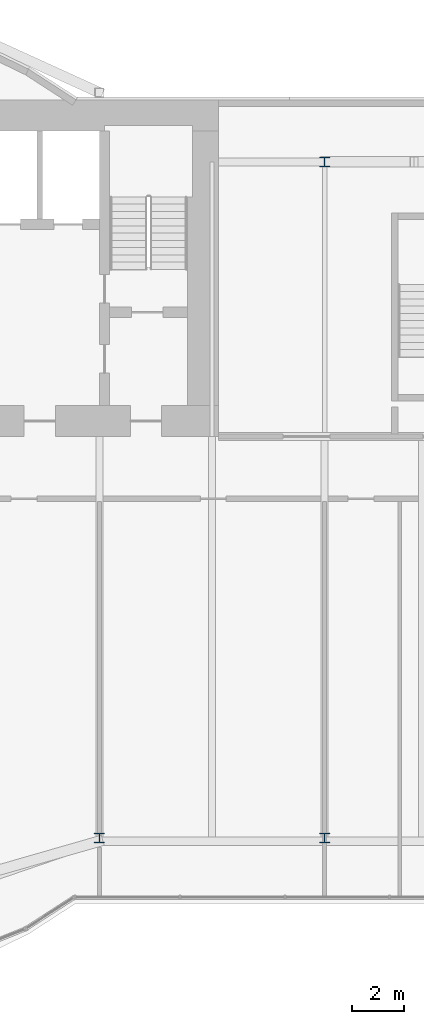
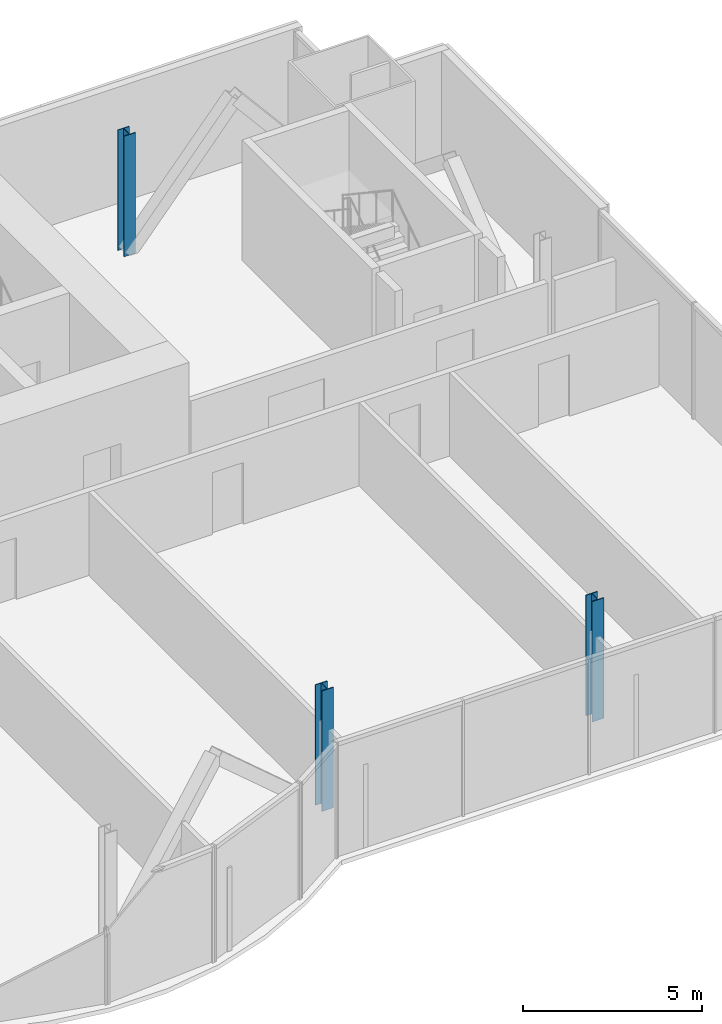
# One storey, part 2 of 20: 3 columns.
"""IFC4 building model written with IfcOpenShell, lengths in metres."""

import ifcopenshell
import ifcopenshell.guid

model = None  # the IFC model being written
_history = None  # IfcOwnerHistory: only IFC2X3 demands one
_inside = {}  # id of a spatial element -> (the spatial element, [elements in it])
_under = {}  # id of a project, library or spatial element -> (it, [spatial elements below it])
_declared = {}  # id of a project -> (the project, [libraries it declares])
_typed = {}  # id of a type object -> (the type object, [elements of that type])
_made_of = {}  # id of a material, layer set ... -> (it, [elements and type objects made of it])


def new_model(schema):
    """Start an empty IFC model of exactly this schema.

    Asked for "IFC4X3", IfcOpenShell would pick the latest addendum, in which some entities
    have other attributes; the version numbers below select the first issue.
    IFC2X3 requires an IfcOwnerHistory on every rooted entity: one is made here for all.
    """
    global model, _history
    if schema == "IFC4X3":
        model = ifcopenshell.file(schema_version=(4, 3, 0, 0))
    else:
        model = ifcopenshell.file(schema=schema)
    _inside.clear()
    _under.clear()
    _declared.clear()
    _typed.clear()
    _made_of.clear()
    _history = None
    if model.schema == "IFC2X3":
        org = make("IfcOrganization", Name="unknown")
        user = make(
            "IfcPersonAndOrganization",
            ThePerson=make("IfcPerson", FamilyName="unknown"),
            TheOrganization=org,
        )
        app = make(
            "IfcApplication",
            ApplicationDeveloper=org,
            Version="unknown",
            ApplicationFullName="unknown",
            ApplicationIdentifier="unknown",
        )
        _history = make(
            "IfcOwnerHistory",
            OwningUser=user,
            OwningApplication=app,
            ChangeAction="ADDED",
            CreationDate=0,
        )
    return model


def make(cls, **values):
    """One entity of the class cls with the attributes given. An attribute that is None is left unset."""
    return model.create_entity(
        cls, **{name: value for name, value in values.items() if value is not None}
    )


def rooted(cls, **values):
    """An entity with a GlobalId (a new one), such as an element, a storey or a relation."""
    return make(cls, GlobalId=ifcopenshell.guid.new(), OwnerHistory=_history, **values)


def si_unit(unit_type, name, prefix=None):
    """IfcSIUnit, for example si_unit("LENGTHUNIT", "METRE", prefix="MILLI")."""
    return make("IfcSIUnit", UnitType=unit_type, Prefix=prefix, Name=name)


def assignment(units):
    """IfcUnitAssignment: the units of a project."""
    return None if units is None else make("IfcUnitAssignment", Units=units)


def point(xyz):
    """IfcCartesianPoint."""
    return None if xyz is None else make("IfcCartesianPoint", Coordinates=xyz)


def direction(xyz):
    """IfcDirection."""
    return None if xyz is None else make("IfcDirection", DirectionRatios=xyz)


def frame(location, z_axis=None, x_axis=None):
    """IfcAxis2Placement3D, a coordinate frame: its origin and axes. An axis left out is left unset."""
    return make(
        "IfcAxis2Placement3D",
        Location=point(location),
        Axis=direction(z_axis),
        RefDirection=direction(x_axis),
    )


def frame_2d(location, x_axis=None):
    """IfcAxis2Placement2D, a coordinate frame in the plane: its origin and x axis."""
    return make(
        "IfcAxis2Placement2D", Location=point(location), RefDirection=direction(x_axis)
    )


def origin():
    """The frame at (0, 0, 0) with its axes left unset."""
    return frame((0.0, 0.0, 0.0))


def origin_2d():
    """The frame at (0, 0) in the plane with its x axis left unset."""
    return frame_2d((0.0, 0.0))


def place(relative_to, where):
    """IfcLocalPlacement: puts the frame where relative to a parent placement (None: the world)."""
    return make(
        "IfcLocalPlacement", PlacementRelTo=relative_to, RelativePlacement=where
    )


def context(
    kind, dimensions, precision=None, world=None, true_north=None, identifier=None
):
    """IfcGeometricRepresentationContext, for example the 3D "Model" context."""
    return make(
        "IfcGeometricRepresentationContext",
        ContextIdentifier=identifier,
        ContextType=kind,
        CoordinateSpaceDimension=dimensions,
        Precision=precision,
        WorldCoordinateSystem=world,
        TrueNorth=true_north,
    )


def subcontext(parent, identifier, kind, view, scale=None):
    """IfcGeometricRepresentationSubContext, for example "Body" below "Model"."""
    return make(
        "IfcGeometricRepresentationSubContext",
        ContextIdentifier=identifier,
        ContextType=kind,
        ParentContext=parent,
        TargetScale=scale,
        TargetView=view,
    )


def project(units=None, contexts=None):
    """IfcProject with its units and contexts."""
    return rooted(
        "IfcProject",
        Name="project",
        RepresentationContexts=contexts,
        UnitsInContext=assignment(units),
    )


def spatial(cls, under=None, at=None, **own):
    """A site, building, storey or space (cls), placed at a placement, below another one or the project."""
    s = rooted(cls, ObjectPlacement=at, **own)
    if under is not None:
        _under.setdefault(under.id(), (under, []))[1].append(s)
    return s


def profile(cls, at=None, kind="AREA", **sizes):
    """A parametric profile (cls). Its sizes go by their IFC names, for example OverallWidth=200.0."""
    return make(cls, ProfileType=kind, Position=at, **sizes)


def i_section(**sizes):
    """IfcIShapeProfileDef."""
    return profile("IfcIShapeProfileDef", **sizes)


def extrude(swept, where, along, depth):
    """IfcExtrudedAreaSolid: the profile swept, set in the frame where, extruded along a direction by depth."""
    return make(
        "IfcExtrudedAreaSolid",
        SweptArea=swept,
        Position=where,
        ExtrudedDirection=direction(along),
        Depth=depth,
    )


def shape(context_of_items, identifier, shape_type, items):
    """IfcShapeRepresentation: the items that make up one representation, for example the "Body"."""
    return make(
        "IfcShapeRepresentation",
        ContextOfItems=context_of_items,
        RepresentationIdentifier=identifier,
        RepresentationType=shape_type,
        Items=items,
    )


def material(Name=None, Category=None):
    """IfcMaterial."""
    return make("IfcMaterial", Name=Name, Category=Category)


def material_profile(
    of_material, cross_section, Name=None, Category=None, Priority=None
):
    """IfcMaterialProfile: a cross section and its material."""
    return make(
        "IfcMaterialProfile",
        Name=Name,
        Material=of_material,
        Profile=cross_section,
        Priority=Priority,
        Category=Category,
    )


def profile_set(profiles, Name=None, composite=None):
    """IfcMaterialProfileSet."""
    return make(
        "IfcMaterialProfileSet",
        Name=Name,
        MaterialProfiles=profiles,
        CompositeProfile=composite,
    )


def made_of(thing, what):
    """Note that an element or type object is made of a material, layer set ...; save() writes the relation."""
    if what is not None:
        _made_of.setdefault(what.id(), (what, []))[1].append(thing)
    return thing


def type_object(cls, material=None, **own):
    """A type object (cls), such as IfcWallType, which elements share."""
    return made_of(rooted(cls, **own), material)


def element(
    cls,
    number,
    at=None,
    inside=None,
    cuts=None,
    type_object=None,
    material=None,
    context=None,
    identifier="Body",
    shape_type=None,
    held_by="IfcProductDefinitionShape",
    body=None,
    shapes=None,
    **own,
):
    """One element of the class cls, such as IfcWall. Its Tag is "e" and its number.

    at: its placement. inside: the storey or other place that contains it. cuts: it is an
    opening in that element (IfcRelVoidsElement). A single representation is given by context,
    identifier, shape_type and body (its items); several are given by shapes. held_by: the class
    of the entity that holds the representations. save() writes the other relations.
    """
    e = rooted(cls, Tag="e%d" % number, ObjectPlacement=at, **own)
    if body is not None:
        shapes = [shape(context, identifier, shape_type, body)]
    if shapes is not None:
        e.Representation = make(held_by, Representations=shapes)
    if inside is not None:
        _inside.setdefault(inside.id(), (inside, []))[1].append(e)
    if cuts is not None:
        rooted(
            "IfcRelVoidsElement", RelatingBuildingElement=cuts, RelatedOpeningElement=e
        )
    if type_object is not None:
        _typed.setdefault(type_object.id(), (type_object, []))[1].append(e)
    return made_of(e, material)


def aggregate(whole, parts):
    """IfcRelAggregates: a whole, such as a stair, and the parts it consists of."""
    return rooted("IfcRelAggregates", RelatingObject=whole, RelatedObjects=parts)


def save(model, path):
    """Write the relations noted so far, then the file.

    IfcRelAggregates (storeys below a building ...), IfcRelContainedInSpatialStructure (elements
    in a storey), IfcRelDefinesByType, IfcRelAssociatesMaterial and IfcRelDeclares: one each for
    every whole, place, type object, material and project.
    """
    for whole, parts in _under.values():
        aggregate(whole, parts)
    for where, things in _inside.values():
        rooted(
            "IfcRelContainedInSpatialStructure",
            RelatedElements=things,
            RelatingStructure=where,
        )
    for kind, things in _typed.values():
        rooted("IfcRelDefinesByType", RelatedObjects=things, RelatingType=kind)
    for what, things in _made_of.values():
        rooted("IfcRelAssociatesMaterial", RelatedObjects=things, RelatingMaterial=what)
    for by, libraries in _declared.values():
        rooted("IfcRelDeclares", RelatingContext=by, RelatedDefinitions=libraries)
    model.write(path)


model = new_model("IFC4")

# Units and contexts
model_context = context("Model", 3, precision=1e-05, world=origin(), true_north=direction((0.0, 1.0)))
body_context = subcontext(model_context, "Body", "Model", "MODEL_VIEW")
ifc_project = project(units=[si_unit("LENGTHUNIT", "METRE"), si_unit("AREAUNIT", "SQUARE_METRE"), si_unit("VOLUMEUNIT", "CUBIC_METRE"), si_unit("PLANEANGLEUNIT", "RADIAN"), si_unit("MASSUNIT", "GRAM", prefix="KILO")], contexts=[model_context])

# Site, building, storey
site_placement = place(None, origin())
site = spatial("IfcSite", under=ifc_project, at=site_placement, CompositionType="ELEMENT")
building_placement = place(site_placement, origin())
building = spatial("IfcBuilding", under=site, at=building_placement, Name="Bicima Exchange Tower", CompositionType="ELEMENT")
storey_placement = place(building_placement, frame((0.0, 0.0, 227.800048828125)))
storey = spatial("IfcBuildingStorey", under=building, at=storey_placement, Name="L51", CompositionType="ELEMENT", Elevation=227.800048828125)

# Columns
ifc_material = material(Name="Steel ASTM A992 Gr 50", Category="steel")
ifc_material_profile = material_profile(ifc_material, i_section(OverallWidth=0.373291015625, OverallDepth=0.373291015625, WebThickness=0.016357421875, FlangeThickness=0.026123046875, at=origin_2d()))
ifc_profile_set = profile_set([ifc_material_profile], Name="Steel ASTM A992 Gr 50")
column_type = type_object("IfcColumnType", Name="Perimeter column W14x132", PredefinedType="COLUMN", material=ifc_profile_set)
for number, where, z_axis, x_axis, name in (
    (1, (17.39990234375, -28.498046875, 0.0), (0.0, 0.0, 1.0), (1.0, 0.0, 0.0), "Perimeter column grav+17.4f"),
    (2, (26.10009765625, -28.498046875, 0.0), (0.0, 0.0, 1.0), (1.0, 0.0, 0.0), "Perimeter column grav+26.1f"),
    (3, (26.10009765625, -2.39990234375, 0.0), (0.0, 0.0, 1.0), (1.0, 0.0, 0.0), "Perimeter column grav+26.1r"),
):
    element("IfcColumn", number, at=place(storey_placement, frame(where, z_axis=z_axis, x_axis=x_axis)), inside=storey, type_object=column_type, Name=name, PredefinedType="COLUMN", context=body_context, shape_type="SweptSolid", body=[
        extrude(i_section(OverallWidth=0.373291015625, OverallDepth=0.373291015625, WebThickness=0.016357421875, FlangeThickness=0.026123046875, at=origin_2d()), origin(), (0.0, 0.0, 1.0), 4.099853515625),
    ])

save(model, "model.ifc")
